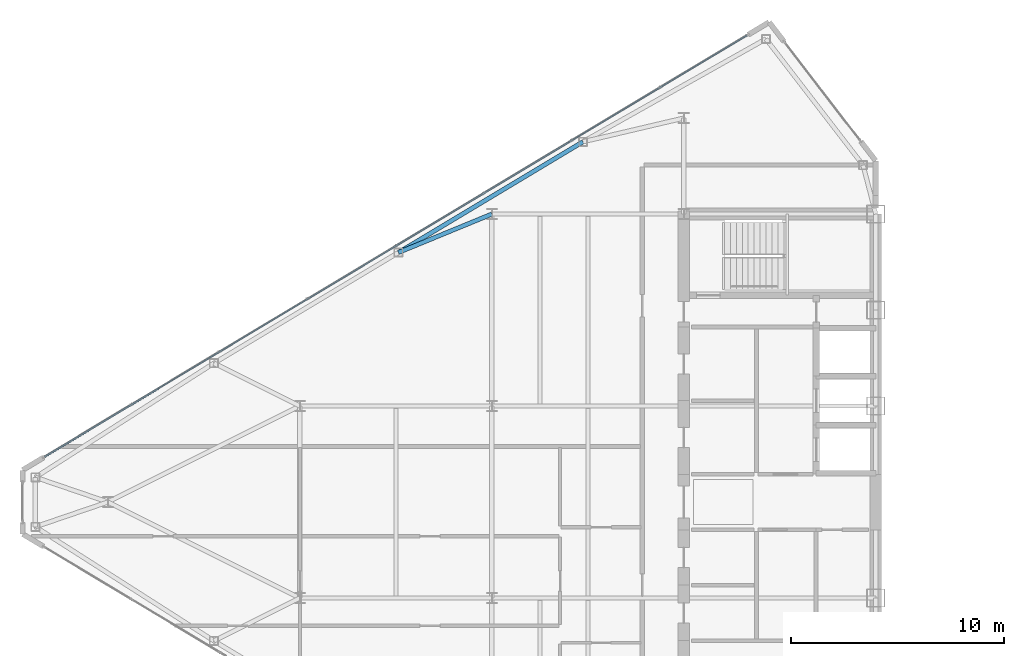
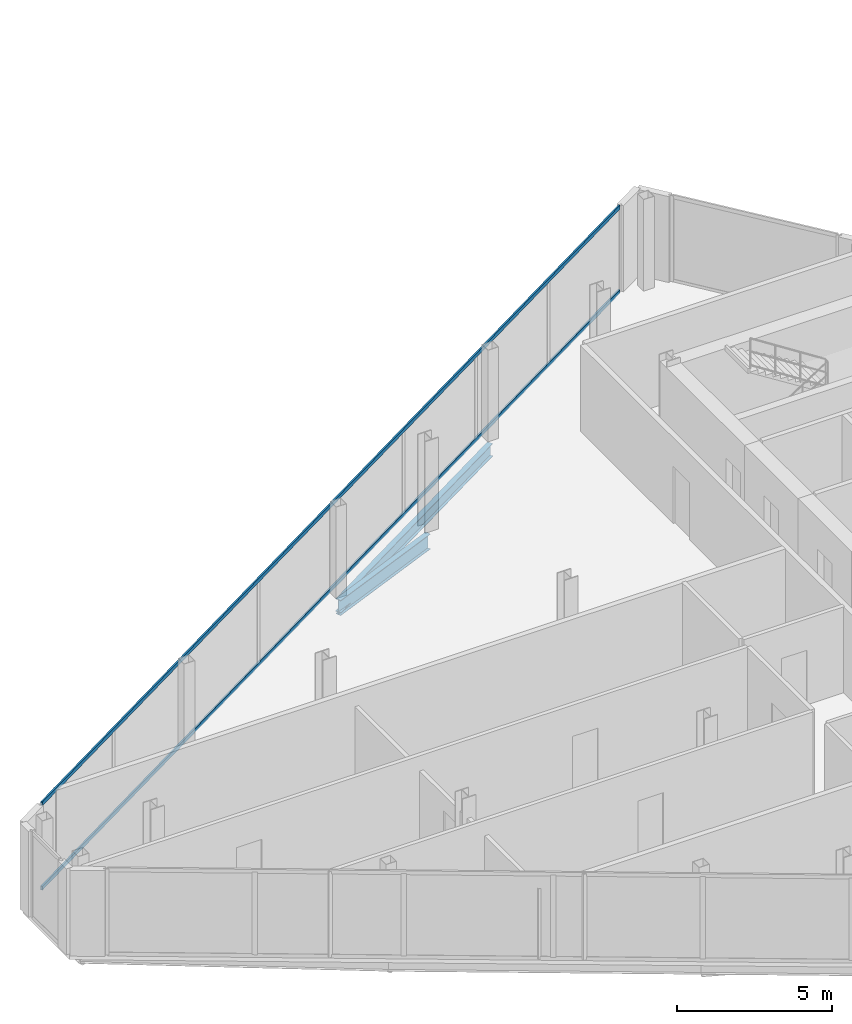
# One storey, part 9 of 25: 2 beams, 2 members, 1 element without a shape of its own.
"""IFC4 building model written with IfcOpenShell, lengths in metres."""

from ifc_helpers import new_model, si_unit, direction, frame, origin, origin_2d, place, context, subcontext, project, spatial, rectangle, i_section, extrude, source, transform, mapped, material, layer, layer_set, material_profile, profile_set, type_object, type_shapes, element, aggregate, save


model = new_model("IFC4")

# Units and contexts
model_context = context("Model", 3, precision=1e-05, world=origin(), true_north=direction((0.0, 1.0)))
body_context = subcontext(model_context, "Body", "Model", "MODEL_VIEW")
ifc_project = project(units=[si_unit("LENGTHUNIT", "METRE"), si_unit("AREAUNIT", "SQUARE_METRE"), si_unit("VOLUMEUNIT", "CUBIC_METRE"), si_unit("PLANEANGLEUNIT", "RADIAN"), si_unit("MASSUNIT", "GRAM", prefix="KILO")], contexts=[model_context])

# Site, building, storey
site_placement = place(None, origin())
site = spatial("IfcSite", under=ifc_project, at=site_placement, CompositionType="ELEMENT")
building_placement = place(site_placement, origin())
building = spatial("IfcBuilding", under=site, at=building_placement, Name="Seokmaru Belvedere", CompositionType="ELEMENT")
storey_placement = place(building_placement, frame((0.0, 0.0, 206.699951171875)))
storey = spatial("IfcBuildingStorey", under=building, at=storey_placement, Name="L55", CompositionType="ELEMENT", Elevation=206.699951171875)

# Beams
ifc_material_1 = material(Name="Steel SM355 (355 MPa)", Category="steel")
ifc_material_profile_1 = material_profile(ifc_material_1, i_section(OverallWidth=0.199951171875, OverallDepth=0.5, WebThickness=0.010009765625, FlangeThickness=0.01611328125, at=origin_2d()), Name="H-500x200x10x16")
ifc_profile_set_1 = profile_set([ifc_material_profile_1], Name="Steel SM355 (355 MPa)")
beam_type_1 = type_object("IfcBeamType", Name="Perimeter Spandrel Beam H-500", PredefinedType="SPANDREL", material=ifc_profile_set_1)
shared_shape_1 = source(origin(), body_context, "Body", "SweptSolid", [
    extrude(i_section(OverallWidth=0.199951171875, OverallDepth=0.5, WebThickness=0.010009765625, FlangeThickness=0.01611328125, at=origin_2d()), origin(), (0.0, 0.0, 1.0), 10.087646484375),
])
type_shapes(beam_type_1, [shared_shape_1])
beam_1_placement = place(storey_placement, frame((-41.229736328125, 16.888916015625, -0.469970703125), z_axis=(-0.857499332045, -0.514485078056, 0.0), x_axis=(0.514485078056, -0.857499332045, 0.0)))
element("IfcBeam", 1, at=beam_1_placement, inside=storey, type_object=beam_type_1, Name="L55 W Faceted Flank Spandrel N-2", PredefinedType="SPANDREL", context=body_context, shape_type="MappedRepresentation", body=[
    mapped(shared_shape_1, transform((0.0, 0.0, 0.0), scale=1.0)),
])
ifc_material_profile_2 = material_profile(ifc_material_1, i_section(OverallWidth=0.199951171875, OverallDepth=0.60009765625, WebThickness=0.010986328125, FlangeThickness=0.01708984375, at=origin_2d()), Name="H-600x200x11x17")
ifc_profile_set_2 = profile_set([ifc_material_profile_2], Name="Steel SM355 (355 MPa)")
beam_type_2 = type_object("IfcBeamType", Name="Primary Floor Girder H-600", PredefinedType="BEAM", material=ifc_profile_set_2)
shared_shape_2 = source(origin(), body_context, "Body", "SweptSolid", [
    extrude(i_section(OverallWidth=0.199951171875, OverallDepth=0.60009765625, WebThickness=0.010986328125, FlangeThickness=0.01708984375, at=origin_2d()), origin(), (0.0, 0.0, 1.0), 4.73583984375),
])
type_shapes(beam_type_2, [shared_shape_2])
beam_2_placement = place(storey_placement, frame((-49.8798828125, 11.698974609375, -0.52001953125), z_axis=(0.924860562953, 0.380306375301, 0.0), x_axis=(-0.380306375301, 0.924860562953, 0.0)))
element("IfcBeam", 2, at=beam_2_placement, inside=storey, type_object=beam_type_2, Name="L55 W Flank Radial Floor Girder N-2", PredefinedType="BEAM", context=body_context, shape_type="MappedRepresentation", body=[
    mapped(shared_shape_2, transform((0.0, 0.0, 0.0), scale=1.0)),
])

# Curtain wall, members
ifc_material_2 = material(Name="Bronze Triple Insulating Glass", Category="glass")
ifc_layer = layer(ifc_material_2, 0.179931640625)
ifc_layer_set = layer_set([ifc_layer], Name="Bronze Triple Insulating Glass")
curtain_wall_type = type_object("IfcCurtainWallType", Name="High-Rise Wind-Corner Curtain Wall System CW-5", PredefinedType="NOTDEFINED", material=ifc_layer_set)
curtain_wall_placement = place(storey_placement, origin())
curtain_wall = element("IfcCurtainWall", 3, at=curtain_wall_placement, inside=storey, type_object=curtain_wall_type, Name="L55 Curtain Wall WF3", PredefinedType="NOTDEFINED")
ifc_material_3 = material(Name="Anodised Bronze Aluminium", Category="aluminium")
ifc_material_profile_3 = material_profile(ifc_material_3, rectangle(XDim=0.06494140625, YDim=0.14990234375, at=origin_2d()), Name="CW-T-65x150")
ifc_profile_set_3 = profile_set([ifc_material_profile_3], Name="Anodised Bronze Aluminium")
member_type = type_object("IfcMemberType", Name="Bronze Unitised Transom 65x150", PredefinedType="USERDEFINED", material=ifc_profile_set_3)
shared_shape_3 = source(origin(), body_context, "Body", "SweptSolid", [
    extrude(rectangle(XDim=0.06494140625, YDim=0.14990234375, at=origin_2d()), origin(), (0.0, 0.0, 1.0), 38.386962890625),
])
type_shapes(member_type, [shared_shape_3])
member_1_placement = place(storey_placement, frame((-33.541748046875, 21.875, 0.032470703125), z_axis=(-0.85749180336, -0.514497626011, 0.0), x_axis=(0.514497626011, -0.85749180336, 0.0)))
member_1 = element("IfcMember", 4, at=member_1_placement, type_object=member_type, Name="CW:L55:WF3 Continuous Transom 1", ObjectType="TRANSOM", PredefinedType="USERDEFINED", context=body_context, shape_type="MappedRepresentation", body=[
    mapped(shared_shape_3, transform((0.0, 0.0, 0.0), scale=1.0)),
])
member_2_placement = place(storey_placement, frame((-33.541748046875, 21.875, 3.34765625), z_axis=(-0.85749180336, -0.514497626011, 0.0), x_axis=(0.514497626011, -0.85749180336, 0.0)))
member_2 = element("IfcMember", 5, at=member_2_placement, type_object=member_type, Name="CW:L55:WF3 Continuous Transom 2", ObjectType="TRANSOM", PredefinedType="USERDEFINED", context=body_context, shape_type="MappedRepresentation", body=[
    mapped(shared_shape_3, transform((0.0, 0.0, 0.0), scale=1.0)),
])
aggregate(curtain_wall, [member_1, member_2])

save(model, "model.ifc")
